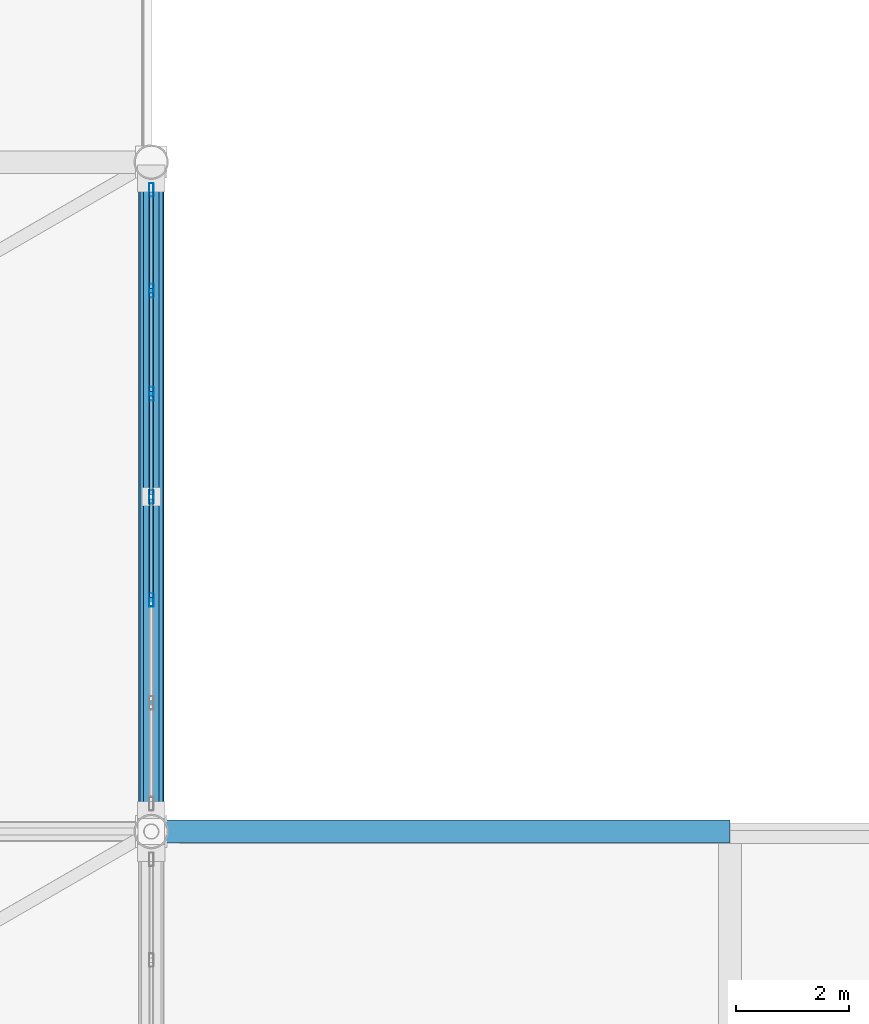
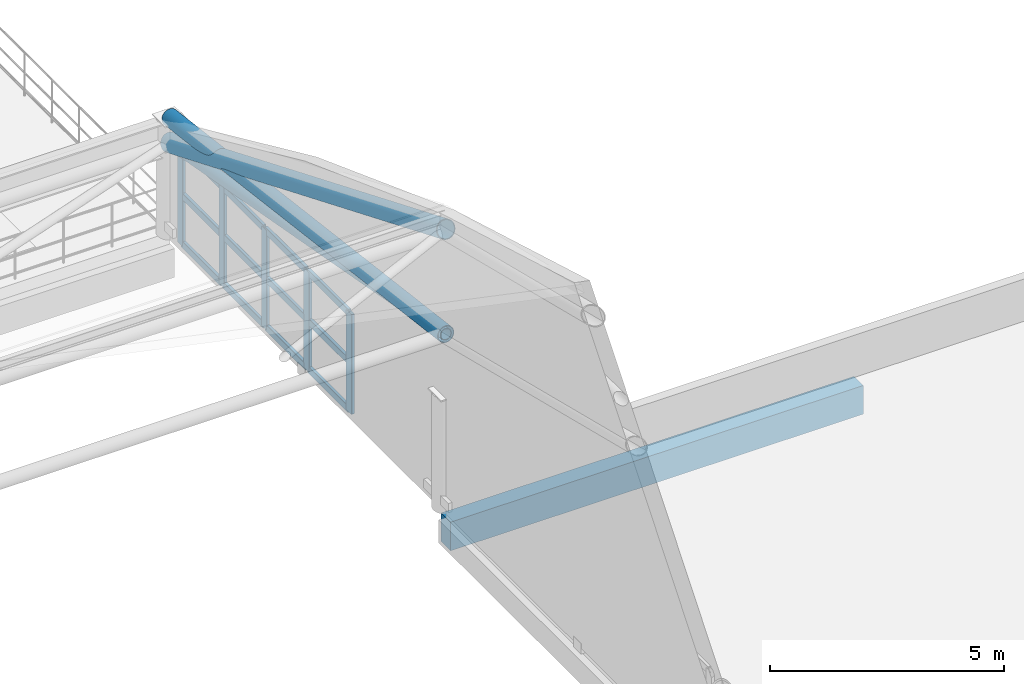
# One storey, part 66 of 135: 20 members, 1 beam, 1 element without a shape of its own.
"""IFC4 building model written with IfcOpenShell, lengths in metres."""

import ifcopenshell
import ifcopenshell.guid

model = None  # the IFC model being written
_history = None  # IfcOwnerHistory: only IFC2X3 demands one
_inside = {}  # id of a spatial element -> (the spatial element, [elements in it])
_under = {}  # id of a project, library or spatial element -> (it, [spatial elements below it])
_declared = {}  # id of a project -> (the project, [libraries it declares])
_typed = {}  # id of a type object -> (the type object, [elements of that type])
_made_of = {}  # id of a material, layer set ... -> (it, [elements and type objects made of it])


def new_model(schema):
    """Start an empty IFC model of exactly this schema.

    Asked for "IFC4X3", IfcOpenShell would pick the latest addendum, in which some entities
    have other attributes; the version numbers below select the first issue.
    IFC2X3 requires an IfcOwnerHistory on every rooted entity: one is made here for all.
    """
    global model, _history
    if schema == "IFC4X3":
        model = ifcopenshell.file(schema_version=(4, 3, 0, 0))
    else:
        model = ifcopenshell.file(schema=schema)
    _inside.clear()
    _under.clear()
    _declared.clear()
    _typed.clear()
    _made_of.clear()
    _history = None
    if model.schema == "IFC2X3":
        org = make("IfcOrganization", Name="unknown")
        user = make(
            "IfcPersonAndOrganization",
            ThePerson=make("IfcPerson", FamilyName="unknown"),
            TheOrganization=org,
        )
        app = make(
            "IfcApplication",
            ApplicationDeveloper=org,
            Version="unknown",
            ApplicationFullName="unknown",
            ApplicationIdentifier="unknown",
        )
        _history = make(
            "IfcOwnerHistory",
            OwningUser=user,
            OwningApplication=app,
            ChangeAction="ADDED",
            CreationDate=0,
        )
    return model


def make(cls, **values):
    """One entity of the class cls with the attributes given. An attribute that is None is left unset."""
    return model.create_entity(
        cls, **{name: value for name, value in values.items() if value is not None}
    )


def rooted(cls, **values):
    """An entity with a GlobalId (a new one), such as an element, a storey or a relation."""
    return make(cls, GlobalId=ifcopenshell.guid.new(), OwnerHistory=_history, **values)


def si_unit(unit_type, name, prefix=None):
    """IfcSIUnit, for example si_unit("LENGTHUNIT", "METRE", prefix="MILLI")."""
    return make("IfcSIUnit", UnitType=unit_type, Prefix=prefix, Name=name)


def assignment(units):
    """IfcUnitAssignment: the units of a project."""
    return None if units is None else make("IfcUnitAssignment", Units=units)


def point(xyz):
    """IfcCartesianPoint."""
    return None if xyz is None else make("IfcCartesianPoint", Coordinates=xyz)


def direction(xyz):
    """IfcDirection."""
    return None if xyz is None else make("IfcDirection", DirectionRatios=xyz)


def frame(location, z_axis=None, x_axis=None):
    """IfcAxis2Placement3D, a coordinate frame: its origin and axes. An axis left out is left unset."""
    return make(
        "IfcAxis2Placement3D",
        Location=point(location),
        Axis=direction(z_axis),
        RefDirection=direction(x_axis),
    )


def frame_2d(location, x_axis=None):
    """IfcAxis2Placement2D, a coordinate frame in the plane: its origin and x axis."""
    return make(
        "IfcAxis2Placement2D", Location=point(location), RefDirection=direction(x_axis)
    )


def origin():
    """The frame at (0, 0, 0) with its axes left unset."""
    return frame((0.0, 0.0, 0.0))


def origin_2d():
    """The frame at (0, 0) in the plane with its x axis left unset."""
    return frame_2d((0.0, 0.0))


def place(relative_to, where):
    """IfcLocalPlacement: puts the frame where relative to a parent placement (None: the world)."""
    return make(
        "IfcLocalPlacement", PlacementRelTo=relative_to, RelativePlacement=where
    )


def context(
    kind, dimensions, precision=None, world=None, true_north=None, identifier=None
):
    """IfcGeometricRepresentationContext, for example the 3D "Model" context."""
    return make(
        "IfcGeometricRepresentationContext",
        ContextIdentifier=identifier,
        ContextType=kind,
        CoordinateSpaceDimension=dimensions,
        Precision=precision,
        WorldCoordinateSystem=world,
        TrueNorth=true_north,
    )


def subcontext(parent, identifier, kind, view, scale=None):
    """IfcGeometricRepresentationSubContext, for example "Body" below "Model"."""
    return make(
        "IfcGeometricRepresentationSubContext",
        ContextIdentifier=identifier,
        ContextType=kind,
        ParentContext=parent,
        TargetScale=scale,
        TargetView=view,
    )


def project(units=None, contexts=None):
    """IfcProject with its units and contexts."""
    return rooted(
        "IfcProject",
        Name="project",
        RepresentationContexts=contexts,
        UnitsInContext=assignment(units),
    )


def spatial(cls, under=None, at=None, **own):
    """A site, building, storey or space (cls), placed at a placement, below another one or the project."""
    s = rooted(cls, ObjectPlacement=at, **own)
    if under is not None:
        _under.setdefault(under.id(), (under, []))[1].append(s)
    return s


def profile(cls, at=None, kind="AREA", **sizes):
    """A parametric profile (cls). Its sizes go by their IFC names, for example OverallWidth=200.0."""
    return make(cls, ProfileType=kind, Position=at, **sizes)


def rectangle(**sizes):
    """IfcRectangleProfileDef."""
    return profile("IfcRectangleProfileDef", **sizes)


def hollow_rectangle(**sizes):
    """IfcRectangleHollowProfileDef."""
    return profile("IfcRectangleHollowProfileDef", **sizes)


def hollow_circle(**sizes):
    """IfcCircleHollowProfileDef."""
    return profile("IfcCircleHollowProfileDef", **sizes)


def extrude(swept, where, along, depth):
    """IfcExtrudedAreaSolid: the profile swept, set in the frame where, extruded along a direction by depth."""
    return make(
        "IfcExtrudedAreaSolid",
        SweptArea=swept,
        Position=where,
        ExtrudedDirection=direction(along),
        Depth=depth,
    )


def shape(context_of_items, identifier, shape_type, items):
    """IfcShapeRepresentation: the items that make up one representation, for example the "Body"."""
    return make(
        "IfcShapeRepresentation",
        ContextOfItems=context_of_items,
        RepresentationIdentifier=identifier,
        RepresentationType=shape_type,
        Items=items,
    )


def material(Name=None, Category=None):
    """IfcMaterial."""
    return make("IfcMaterial", Name=Name, Category=Category)


def material_profile(
    of_material, cross_section, Name=None, Category=None, Priority=None
):
    """IfcMaterialProfile: a cross section and its material."""
    return make(
        "IfcMaterialProfile",
        Name=Name,
        Material=of_material,
        Profile=cross_section,
        Priority=Priority,
        Category=Category,
    )


def profile_set(profiles, Name=None, composite=None):
    """IfcMaterialProfileSet."""
    return make(
        "IfcMaterialProfileSet",
        Name=Name,
        MaterialProfiles=profiles,
        CompositeProfile=composite,
    )


def made_of(thing, what):
    """Note that an element or type object is made of a material, layer set ...; save() writes the relation."""
    if what is not None:
        _made_of.setdefault(what.id(), (what, []))[1].append(thing)
    return thing


def type_object(cls, material=None, **own):
    """A type object (cls), such as IfcWallType, which elements share."""
    return made_of(rooted(cls, **own), material)


def element(
    cls,
    number,
    at=None,
    inside=None,
    cuts=None,
    type_object=None,
    material=None,
    context=None,
    identifier="Body",
    shape_type=None,
    held_by="IfcProductDefinitionShape",
    body=None,
    shapes=None,
    **own,
):
    """One element of the class cls, such as IfcWall. Its Tag is "e" and its number.

    at: its placement. inside: the storey or other place that contains it. cuts: it is an
    opening in that element (IfcRelVoidsElement). A single representation is given by context,
    identifier, shape_type and body (its items); several are given by shapes. held_by: the class
    of the entity that holds the representations. save() writes the other relations.
    """
    e = rooted(cls, Tag="e%d" % number, ObjectPlacement=at, **own)
    if body is not None:
        shapes = [shape(context, identifier, shape_type, body)]
    if shapes is not None:
        e.Representation = make(held_by, Representations=shapes)
    if inside is not None:
        _inside.setdefault(inside.id(), (inside, []))[1].append(e)
    if cuts is not None:
        rooted(
            "IfcRelVoidsElement", RelatingBuildingElement=cuts, RelatedOpeningElement=e
        )
    if type_object is not None:
        _typed.setdefault(type_object.id(), (type_object, []))[1].append(e)
    return made_of(e, material)


def aggregate(whole, parts):
    """IfcRelAggregates: a whole, such as a stair, and the parts it consists of."""
    return rooted("IfcRelAggregates", RelatingObject=whole, RelatedObjects=parts)


def save(model, path):
    """Write the relations noted so far, then the file.

    IfcRelAggregates (storeys below a building ...), IfcRelContainedInSpatialStructure (elements
    in a storey), IfcRelDefinesByType, IfcRelAssociatesMaterial and IfcRelDeclares: one each for
    every whole, place, type object, material and project.
    """
    for whole, parts in _under.values():
        aggregate(whole, parts)
    for where, things in _inside.values():
        rooted(
            "IfcRelContainedInSpatialStructure",
            RelatedElements=things,
            RelatingStructure=where,
        )
    for kind, things in _typed.values():
        rooted("IfcRelDefinesByType", RelatedObjects=things, RelatingType=kind)
    for what, things in _made_of.values():
        rooted("IfcRelAssociatesMaterial", RelatedObjects=things, RelatingMaterial=what)
    for by, libraries in _declared.values():
        rooted("IfcRelDeclares", RelatingContext=by, RelatedDefinitions=libraries)
    model.write(path)


model = new_model("IFC4")

# Units and contexts
model_context = context("Model", 3, precision=1e-05, world=origin(), true_north=direction((0.0, 1.0)))
body_context = subcontext(model_context, "Body", "Model", "MODEL_VIEW")
ifc_project = project(units=[si_unit("LENGTHUNIT", "METRE"), si_unit("AREAUNIT", "SQUARE_METRE"), si_unit("VOLUMEUNIT", "CUBIC_METRE"), si_unit("PLANEANGLEUNIT", "RADIAN"), si_unit("MASSUNIT", "GRAM", prefix="KILO")], contexts=[model_context])

# Site, building, storey
site_placement = place(None, origin())
site = spatial("IfcSite", under=ifc_project, at=site_placement, CompositionType="ELEMENT")
building_placement = place(site_placement, origin())
building = spatial("IfcBuilding", under=site, at=building_placement, Name="Brelvane Convention Centre", CompositionType="ELEMENT")
storey_placement = place(building_placement, frame((0.0, 0.0, 15.0)))
storey = spatial("IfcBuildingStorey", under=building, at=storey_placement, Name="L03", CompositionType="ELEMENT", Elevation=15.0)

# Curtain wall, members
ifc_material_1 = material(Name="Anodised Aluminium Alloy 6063-T6", Category="aluminium")
curtain_wall_type = type_object("IfcCurtainWallType", Name="Curtain Wall CW-HULL-N", PredefinedType="USERDEFINED", material=ifc_material_1)
curtain_wall_placement = place(storey_placement, origin())
curtain_wall = element("IfcCurtainWall", 1, at=curtain_wall_placement, inside=storey, type_object=curtain_wall_type, Name="Curtain Wall CW-HULL-N L03-EXH-E-CLER-6", ObjectType="UNITISED", PredefinedType="USERDEFINED")
ifc_material_2 = material(Name="Anodised Aluminium Alloy 6063-T6", Category="aluminium")
ifc_material_profile_1 = material_profile(ifc_material_2, hollow_rectangle(XDim=0.080078125, YDim=0.239990234375, WallThickness=0.006103515625, InnerFilletRadius=0.006103515625, OuterFilletRadius=0.011962890625, at=origin_2d()), Name="ALU-M 240x80x6.0")
ifc_profile_set_1 = profile_set([ifc_material_profile_1], Name="Anodised Aluminium Alloy 6063-T6")
member_type_1 = type_object("IfcMemberType", Name="Curtain Mullion CW-M1", PredefinedType="MULLION", material=ifc_profile_set_1)
member_1_placement = place(storey_placement, frame((142.800048828125, 91.88330078125, 0.0), z_axis=(0.0, 0.0, 1.0), x_axis=(-1.0, 0.0, 0.0)))
member_1 = element("IfcMember", 2, at=member_1_placement, type_object=member_type_1, Name="CW-HULL-N mullion 3", PredefinedType="MULLION", context=body_context, shape_type="SweptSolid", body=[
    extrude(hollow_rectangle(XDim=0.080078125, YDim=0.239990234375, WallThickness=0.006103515625, InnerFilletRadius=0.006103515625, OuterFilletRadius=0.011962890625, at=origin_2d()), origin(), (0.0, 0.0, 1.0), 2.60009765625),
])
member_2_placement = place(storey_placement, frame((142.800048828125, 93.699951171875, 0.0), z_axis=(0.0, 0.0, 1.0), x_axis=(-1.0, 0.0, 0.0)))
member_2 = element("IfcMember", 3, at=member_2_placement, type_object=member_type_1, Name="CW-HULL-N mullion 4", PredefinedType="MULLION", context=body_context, shape_type="SweptSolid", body=[
    extrude(hollow_rectangle(XDim=0.080078125, YDim=0.239990234375, WallThickness=0.006103515625, InnerFilletRadius=0.006103515625, OuterFilletRadius=0.011962890625, at=origin_2d()), origin(), (0.0, 0.0, 1.0), 2.60009765625),
])
member_3_placement = place(storey_placement, frame((142.800048828125, 95.5166015625, 0.0), z_axis=(0.0, 0.0, 1.0), x_axis=(-1.0, 0.0, 0.0)))
member_3 = element("IfcMember", 4, at=member_3_placement, type_object=member_type_1, Name="CW-HULL-N mullion 5", PredefinedType="MULLION", context=body_context, shape_type="SweptSolid", body=[
    extrude(hollow_rectangle(XDim=0.080078125, YDim=0.239990234375, WallThickness=0.006103515625, InnerFilletRadius=0.006103515625, OuterFilletRadius=0.011962890625, at=origin_2d()), origin(), (0.0, 0.0, 1.0), 2.60009765625),
])
member_4_placement = place(storey_placement, frame((142.800048828125, 97.333251953125, 0.0), z_axis=(0.0, 0.0, 1.0), x_axis=(-1.0, 0.0, 0.0)))
member_4 = element("IfcMember", 5, at=member_4_placement, type_object=member_type_1, Name="CW-HULL-N mullion 6", PredefinedType="MULLION", context=body_context, shape_type="SweptSolid", body=[
    extrude(hollow_rectangle(XDim=0.080078125, YDim=0.239990234375, WallThickness=0.006103515625, InnerFilletRadius=0.006103515625, OuterFilletRadius=0.011962890625, at=origin_2d()), origin(), (0.0, 0.0, 1.0), 2.60009765625),
])
member_5_placement = place(storey_placement, frame((142.800048828125, 99.110107421875, 0.0), z_axis=(0.0, 0.0, 1.0), x_axis=(-1.0, 0.0, 0.0)))
member_5 = element("IfcMember", 6, at=member_5_placement, type_object=member_type_1, Name="CW-HULL-N mullion 7", PredefinedType="MULLION", context=body_context, shape_type="SweptSolid", body=[
    extrude(hollow_rectangle(XDim=0.080078125, YDim=0.239990234375, WallThickness=0.006103515625, InnerFilletRadius=0.006103515625, OuterFilletRadius=0.011962890625, at=origin_2d()), origin(), (0.0, 0.0, 1.0), 2.60009765625),
])
ifc_material_3 = material(Name="Anodised Aluminium Alloy 6063-T6", Category="aluminium")
ifc_material_profile_2 = material_profile(ifc_material_3, hollow_rectangle(XDim=0.080078125, YDim=0.179931640625, WallThickness=0.0048828125, InnerFilletRadius=0.0048828125, OuterFilletRadius=0.010009765625, at=origin_2d()), Name="ALU-T 180x80x5.0")
ifc_profile_set_2 = profile_set([ifc_material_profile_2], Name="Anodised Aluminium Alloy 6063-T6")
member_type_2 = type_object("IfcMemberType", Name="Curtain Transom CW-T1", PredefinedType="USERDEFINED", material=ifc_profile_set_2)
member_6_placement = place(storey_placement, frame((142.800048828125, 91.92333984375, 0.0400390625), z_axis=(0.0, 1.0, 0.0), x_axis=(-1.0, 0.0, 0.0)))
member_6 = element("IfcMember", 7, at=member_6_placement, type_object=member_type_2, Name="CW-HULL-N transom 3.1", ObjectType="TRANSOM", PredefinedType="USERDEFINED", context=body_context, shape_type="SweptSolid", body=[
    extrude(hollow_rectangle(XDim=0.080078125, YDim=0.179931640625, WallThickness=0.0048828125, InnerFilletRadius=0.0048828125, OuterFilletRadius=0.010009765625, at=origin_2d()), origin(), (0.0, 0.0, 1.0), 1.736572265625),
])
member_7_placement = place(storey_placement, frame((142.800048828125, 91.92333984375, 1.300048828125), z_axis=(0.0, 1.0, 0.0), x_axis=(-1.0, 0.0, 0.0)))
member_7 = element("IfcMember", 8, at=member_7_placement, type_object=member_type_2, Name="CW-HULL-N transom 3.2", ObjectType="TRANSOM", PredefinedType="USERDEFINED", context=body_context, shape_type="SweptSolid", body=[
    extrude(hollow_rectangle(XDim=0.080078125, YDim=0.179931640625, WallThickness=0.0048828125, InnerFilletRadius=0.0048828125, OuterFilletRadius=0.010009765625, at=origin_2d()), origin(), (0.0, 0.0, 1.0), 1.736572265625),
])
member_8_placement = place(storey_placement, frame((142.800048828125, 91.92333984375, 2.56005859375), z_axis=(0.0, 1.0, 0.0), x_axis=(-1.0, 0.0, 0.0)))
member_8 = element("IfcMember", 9, at=member_8_placement, type_object=member_type_2, Name="CW-HULL-N transom 3.3", ObjectType="TRANSOM", PredefinedType="USERDEFINED", context=body_context, shape_type="SweptSolid", body=[
    extrude(hollow_rectangle(XDim=0.080078125, YDim=0.179931640625, WallThickness=0.0048828125, InnerFilletRadius=0.0048828125, OuterFilletRadius=0.010009765625, at=origin_2d()), origin(), (0.0, 0.0, 1.0), 1.736572265625),
])
member_9_placement = place(storey_placement, frame((142.800048828125, 93.739990234375, 0.0400390625), z_axis=(0.0, 1.0, 0.0), x_axis=(-1.0, 0.0, 0.0)))
member_9 = element("IfcMember", 10, at=member_9_placement, type_object=member_type_2, Name="CW-HULL-N transom 4.1", ObjectType="TRANSOM", PredefinedType="USERDEFINED", context=body_context, shape_type="SweptSolid", body=[
    extrude(hollow_rectangle(XDim=0.080078125, YDim=0.179931640625, WallThickness=0.0048828125, InnerFilletRadius=0.0048828125, OuterFilletRadius=0.010009765625, at=origin_2d()), origin(), (0.0, 0.0, 1.0), 1.736572265625),
])
member_10_placement = place(storey_placement, frame((142.800048828125, 93.739990234375, 1.300048828125), z_axis=(0.0, 1.0, 0.0), x_axis=(-1.0, 0.0, 0.0)))
member_10 = element("IfcMember", 11, at=member_10_placement, type_object=member_type_2, Name="CW-HULL-N transom 4.2", ObjectType="TRANSOM", PredefinedType="USERDEFINED", context=body_context, shape_type="SweptSolid", body=[
    extrude(hollow_rectangle(XDim=0.080078125, YDim=0.179931640625, WallThickness=0.0048828125, InnerFilletRadius=0.0048828125, OuterFilletRadius=0.010009765625, at=origin_2d()), origin(), (0.0, 0.0, 1.0), 1.736572265625),
])
member_11_placement = place(storey_placement, frame((142.800048828125, 93.739990234375, 2.56005859375), z_axis=(0.0, 1.0, 0.0), x_axis=(-1.0, 0.0, 0.0)))
member_11 = element("IfcMember", 12, at=member_11_placement, type_object=member_type_2, Name="CW-HULL-N transom 4.3", ObjectType="TRANSOM", PredefinedType="USERDEFINED", context=body_context, shape_type="SweptSolid", body=[
    extrude(hollow_rectangle(XDim=0.080078125, YDim=0.179931640625, WallThickness=0.0048828125, InnerFilletRadius=0.0048828125, OuterFilletRadius=0.010009765625, at=origin_2d()), origin(), (0.0, 0.0, 1.0), 1.736572265625),
])
member_12_placement = place(storey_placement, frame((142.800048828125, 95.556640625, 0.0400390625), z_axis=(0.0, 1.0, 0.0), x_axis=(-1.0, 0.0, 0.0)))
member_12 = element("IfcMember", 13, at=member_12_placement, type_object=member_type_2, Name="CW-HULL-N transom 5.1", ObjectType="TRANSOM", PredefinedType="USERDEFINED", context=body_context, shape_type="SweptSolid", body=[
    extrude(hollow_rectangle(XDim=0.080078125, YDim=0.179931640625, WallThickness=0.0048828125, InnerFilletRadius=0.0048828125, OuterFilletRadius=0.010009765625, at=origin_2d()), origin(), (0.0, 0.0, 1.0), 1.736572265625),
])
member_13_placement = place(storey_placement, frame((142.800048828125, 95.556640625, 1.300048828125), z_axis=(0.0, 1.0, 0.0), x_axis=(-1.0, 0.0, 0.0)))
member_13 = element("IfcMember", 14, at=member_13_placement, type_object=member_type_2, Name="CW-HULL-N transom 5.2", ObjectType="TRANSOM", PredefinedType="USERDEFINED", context=body_context, shape_type="SweptSolid", body=[
    extrude(hollow_rectangle(XDim=0.080078125, YDim=0.179931640625, WallThickness=0.0048828125, InnerFilletRadius=0.0048828125, OuterFilletRadius=0.010009765625, at=origin_2d()), origin(), (0.0, 0.0, 1.0), 1.736572265625),
])
member_14_placement = place(storey_placement, frame((142.800048828125, 95.556640625, 2.56005859375), z_axis=(0.0, 1.0, 0.0), x_axis=(-1.0, 0.0, 0.0)))
member_14 = element("IfcMember", 15, at=member_14_placement, type_object=member_type_2, Name="CW-HULL-N transom 5.3", ObjectType="TRANSOM", PredefinedType="USERDEFINED", context=body_context, shape_type="SweptSolid", body=[
    extrude(hollow_rectangle(XDim=0.080078125, YDim=0.179931640625, WallThickness=0.0048828125, InnerFilletRadius=0.0048828125, OuterFilletRadius=0.010009765625, at=origin_2d()), origin(), (0.0, 0.0, 1.0), 1.736572265625),
])
member_15_placement = place(storey_placement, frame((142.800048828125, 97.373291015625, 0.0400390625), z_axis=(0.0, 1.0, 0.0), x_axis=(-1.0, 0.0, 0.0)))
member_15 = element("IfcMember", 16, at=member_15_placement, type_object=member_type_2, Name="CW-HULL-N transom 6.1", ObjectType="TRANSOM", PredefinedType="USERDEFINED", context=body_context, shape_type="SweptSolid", body=[
    extrude(hollow_rectangle(XDim=0.080078125, YDim=0.179931640625, WallThickness=0.0048828125, InnerFilletRadius=0.0048828125, OuterFilletRadius=0.010009765625, at=origin_2d()), origin(), (0.0, 0.0, 1.0), 1.69677734375),
])
member_16_placement = place(storey_placement, frame((142.800048828125, 97.373291015625, 1.300048828125), z_axis=(0.0, 1.0, 0.0), x_axis=(-1.0, 0.0, 0.0)))
member_16 = element("IfcMember", 17, at=member_16_placement, type_object=member_type_2, Name="CW-HULL-N transom 6.2", ObjectType="TRANSOM", PredefinedType="USERDEFINED", context=body_context, shape_type="SweptSolid", body=[
    extrude(hollow_rectangle(XDim=0.080078125, YDim=0.179931640625, WallThickness=0.0048828125, InnerFilletRadius=0.0048828125, OuterFilletRadius=0.010009765625, at=origin_2d()), origin(), (0.0, 0.0, 1.0), 1.69677734375),
])
member_17_placement = place(storey_placement, frame((142.800048828125, 97.373291015625, 2.56005859375), z_axis=(0.0, 1.0, 0.0), x_axis=(-1.0, 0.0, 0.0)))
member_17 = element("IfcMember", 18, at=member_17_placement, type_object=member_type_2, Name="CW-HULL-N transom 6.3", ObjectType="TRANSOM", PredefinedType="USERDEFINED", context=body_context, shape_type="SweptSolid", body=[
    extrude(hollow_rectangle(XDim=0.080078125, YDim=0.179931640625, WallThickness=0.0048828125, InnerFilletRadius=0.0048828125, OuterFilletRadius=0.010009765625, at=origin_2d()), origin(), (0.0, 0.0, 1.0), 1.69677734375),
])
aggregate(curtain_wall, [member_1, member_2, member_3, member_4, member_5, member_6, member_7, member_8, member_9, member_10, member_11, member_12, member_13, member_14, member_15, member_16, member_17])

# Beam
ifc_material_4 = material(Name="Concrete M40", Category="concrete")
ifc_material_profile_3 = material_profile(ifc_material_4, rectangle(XDim=0.39990234375, YDim=0.75, at=origin_2d()), Name="RC 400x750")
ifc_profile_set_3 = profile_set([ifc_material_profile_3], Name="Concrete M40")
beam_type = type_object("IfcBeamType", Name="RC Beam B-RC6 (RC 400x750)", PredefinedType="BEAM", material=ifc_profile_set_3)
beam_placement = place(storey_placement, frame((142.800048828125, 87.800048828125, -0.675048828125), z_axis=(1.0, 0.0, 0.0), x_axis=(0.0, 1.0, 0.0)))
element("IfcBeam", 19, at=beam_placement, inside=storey, type_object=beam_type, Name="L03 Beam 15-16/J", PredefinedType="BEAM", context=body_context, shape_type="SweptSolid", body=[
    extrude(rectangle(XDim=0.39990234375, YDim=0.75, at=origin_2d()), origin(), (0.0, 0.0, 1.0), 10.199951171875),
])

# Members
ifc_material_5 = material(Name="Steel E350 (350 MPa)", Category="steel")
ifc_material_profile_4 = material_profile(ifc_material_5, hollow_circle(Radius=0.136474609375, WallThickness=0.012451171875, at=origin_2d()), Name="CHS 273.0x12.5")
ifc_profile_set_4 = profile_set([ifc_material_profile_4], Name="Steel E350 (350 MPa)")
member_type_3 = type_object("IfcMemberType", Name="Steel Brace SF-DG1 (CHS 273.0x12.5)", PredefinedType="BRACE", material=ifc_profile_set_4)
member_18_placement = place(storey_placement, frame((142.800048828125, 87.800048828125, 4.489013671875), z_axis=(0.0, 0.983819064294, -0.179164864666), x_axis=(-1.0, 0.0, 0.0)))
element("IfcMember", 20, at=member_18_placement, inside=storey, type_object=member_type_3, Name="SF_EXH Space-Frame Web Diagonal D8.6", PredefinedType="BRACE", context=body_context, shape_type="SweptSolid", body=[
    extrude(hollow_circle(Radius=0.136474609375, WallThickness=0.012451171875, at=origin_2d()), origin(), (0.0, 0.0, 1.0), 11.994140625),
])
ifc_material_6 = material(Name="Steel E450 (450 MPa)", Category="steel")
ifc_material_profile_5 = material_profile(ifc_material_6, hollow_circle(Radius=0.203125, WallThickness=0.01611328125, at=origin_2d()), Name="CHS 406.4x16.0")
ifc_profile_set_5 = profile_set([ifc_material_profile_5], Name="Steel E450 (450 MPa)")
member_type_4 = type_object("IfcMemberType", Name="Steel Chord SF-BC1 (CHS 406.4x16.0)", PredefinedType="CHORD", material=ifc_profile_set_5)
member_19_placement = place(storey_placement, frame((142.800048828125, 87.800048828125, 4.489013671875), z_axis=(0.0, 0.992132246813, -0.125194268374), x_axis=(-1.0, 0.0, 0.0)))
element("IfcMember", 21, at=member_19_placement, inside=storey, type_object=member_type_4, Name="SF_EXH Space-Frame Bottom Chord B8.6", PredefinedType="CHORD", context=body_context, shape_type="SweptSolid", body=[
    extrude(hollow_circle(Radius=0.203125, WallThickness=0.01611328125, at=origin_2d()), origin(), (0.0, 0.0, 1.0), 11.8935546875),
])
ifc_material_7 = material(Name="Steel E450 (450 MPa)", Category="steel")
ifc_material_profile_6 = material_profile(ifc_material_7, hollow_circle(Radius=0.228515625, WallThickness=0.02001953125, at=origin_2d()), Name="CHS 457.0x20.0")
ifc_profile_set_6 = profile_set([ifc_material_profile_6], Name="Steel E450 (450 MPa)")
member_type_5 = type_object("IfcMemberType", Name="Steel Chord SF-TC1 (CHS 457.0x20.0)", PredefinedType="CHORD", material=ifc_profile_set_6)
member_20_placement = place(storey_placement, frame((142.800048828125, 87.800048828125, 7.22900390625), z_axis=(0.0, 0.923846983903, -0.382762002207), x_axis=(-1.0, 0.0, 0.0)))
element("IfcMember", 22, at=member_20_placement, inside=storey, type_object=member_type_5, Name="SF_EXH Space-Frame Top Chord T8.6", PredefinedType="CHORD", context=body_context, shape_type="SweptSolid", body=[
    extrude(hollow_circle(Radius=0.228515625, WallThickness=0.02001953125, at=origin_2d()), origin(), (0.0, 0.0, 1.0), 12.772705078125),
])

save(model, "model.ifc")
